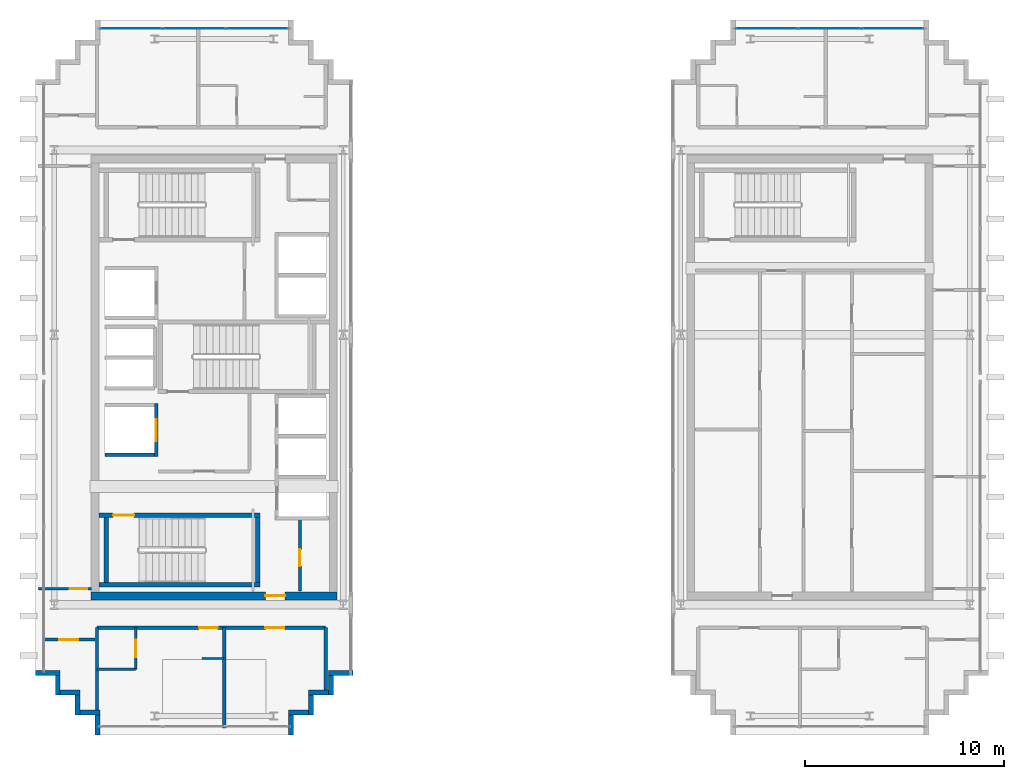
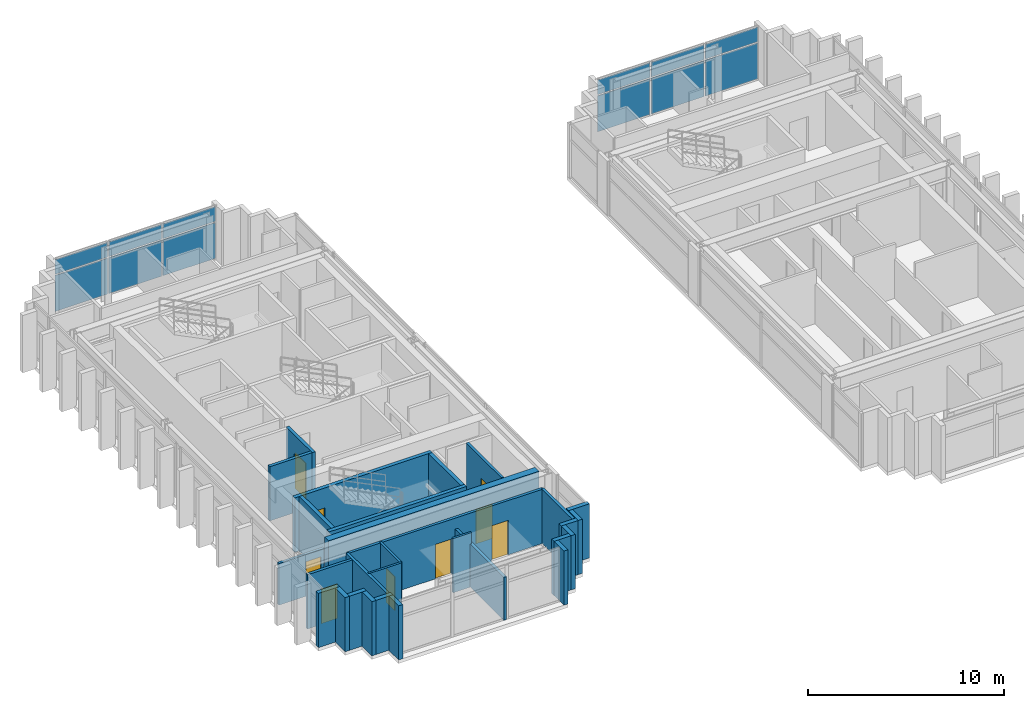
# One storey, part 19 of 25: 29 walls, 12 plates, 9 doors, 9 openings, 2 elements without a shape of their own.
"""IFC4 building model written with IfcOpenShell, lengths in metres."""

from ifc_helpers import new_model, si_unit, direction, frame, frame_2d, origin, origin_2d, place, context, subcontext, project, spatial, rectangle, extrude, source, transform, mapped, material, layer, layer_set, type_object, element, fill, aggregate, save


model = new_model("IFC4")

# Units and contexts
model_context = context("Model", 3, precision=1e-05, world=origin(), true_north=direction((0.0, 1.0)))
body_context = subcontext(model_context, "Body", "Model", "MODEL_VIEW")
ifc_project = project(units=[si_unit("LENGTHUNIT", "METRE"), si_unit("AREAUNIT", "SQUARE_METRE"), si_unit("VOLUMEUNIT", "CUBIC_METRE"), si_unit("PLANEANGLEUNIT", "RADIAN"), si_unit("MASSUNIT", "GRAM", prefix="KILO")], contexts=[model_context])

# Site, building, storey
site_placement = place(None, origin())
site = spatial("IfcSite", under=ifc_project, at=site_placement, CompositionType="ELEMENT")
building_placement = place(site_placement, origin())
building = spatial("IfcBuilding", under=site, at=building_placement, Name="Ocotamira Hotel", CompositionType="ELEMENT")
storey_placement = place(building_placement, frame((0.0, 0.0, 261.60009765625)))
storey = spatial("IfcBuildingStorey", under=building, at=storey_placement, Name="L66", CompositionType="ELEMENT", Elevation=261.60009765625)

# Curtain wall, plates
ifc_material_1 = material(Name="Anodised pale-metal aluminium and solar glass", Category="aluminium")
ifc_layer_1 = layer(ifc_material_1, 0.2099609375)
ifc_layer_set_1 = layer_set([ifc_layer_1], Name="Anodised pale-metal aluminium and solar glass")
curtain_wall_type = type_object("IfcCurtainWallType", Name="CW-SYS7-PEAK", PredefinedType="NOTDEFINED", material=ifc_layer_set_1)
curtain_wall_1_placement = place(storey_placement, origin())
curtain_wall_1 = element("IfcCurtainWall", 1, at=curtain_wall_1_placement, inside=storey, type_object=curtain_wall_type, Name="L66 Curtain Wall CW-7 CW-L66-WN", PredefinedType="NOTDEFINED")
ifc_material_2 = material(Name="Double-silver low-E insulated solar glass", Category="glass")
ifc_layer_2 = layer(ifc_material_2, 0.031982421875)
ifc_layer_set_2 = layer_set([ifc_layer_2], Name="Double-silver low-E insulated solar glass")
plate_type = type_object("IfcPlateType", Name="CWP-VISION-32", PredefinedType="CURTAIN_PANEL", material=ifc_layer_set_2)
shared_shape_1 = source(origin(), body_context, "Body", "SweptSolid", [
    extrude(rectangle(XDim=3.080078125, YDim=0.031982421875, at=origin_2d()), origin(), (0.0, 0.0, 1.0), 2.237548828125),
])
plate_1_placement = place(storey_placement, frame((12.820068359375, 43.580078125, 0.07470703125), z_axis=(0.0, 0.0, 1.0), x_axis=(1.0, 0.0, 0.0)))
plate_1 = element("IfcPlate", 2, at=plate_1_placement, type_object=plate_type, Name="CW-7 panel 1.1", PredefinedType="CURTAIN_PANEL", context=body_context, shape_type="MappedRepresentation", body=[
    mapped(shared_shape_1, transform((0.0, 0.0, 0.0), scale=1.0)),
])
plate_2_placement = place(storey_placement, frame((19.179931640625, 43.580078125, 0.07470703125), z_axis=(0.0, 0.0, 1.0), x_axis=(1.0, 0.0, 0.0)))
plate_2 = element("IfcPlate", 3, at=plate_2_placement, type_object=plate_type, Name="CW-7 panel 3.1", PredefinedType="CURTAIN_PANEL", context=body_context, shape_type="MappedRepresentation", body=[
    mapped(shared_shape_1, transform((0.0, 0.0, 0.0), scale=1.0)),
])

curtain_wall_2_placement = place(storey_placement, origin())
curtain_wall_2 = element("IfcCurtainWall", 4, at=curtain_wall_2_placement, inside=storey, type_object=curtain_wall_type, Name="L66 Curtain Wall CW-7 CW-L66-EN", PredefinedType="NOTDEFINED")
plate_3_placement = place(storey_placement, frame((44.820068359375, 43.580078125, 0.07470703125), z_axis=(0.0, 0.0, 1.0), x_axis=(1.0, 0.0, 0.0)))
plate_3 = element("IfcPlate", 5, at=plate_3_placement, type_object=plate_type, Name="CW-7 panel 1.1", PredefinedType="CURTAIN_PANEL", context=body_context, shape_type="MappedRepresentation", body=[
    mapped(shared_shape_1, transform((0.0, 0.0, 0.0), scale=1.0)),
])
plate_4_placement = place(storey_placement, frame((51.179931640625, 43.580078125, 0.07470703125), z_axis=(0.0, 0.0, 1.0), x_axis=(1.0, 0.0, 0.0)))
plate_4 = element("IfcPlate", 6, at=plate_4_placement, type_object=plate_type, Name="CW-7 panel 3.1", PredefinedType="CURTAIN_PANEL", context=body_context, shape_type="MappedRepresentation", body=[
    mapped(shared_shape_1, transform((0.0, 0.0, 0.0), scale=1.0)),
])

# Plate
shared_shape_2 = source(origin(), body_context, "Body", "SweptSolid", [
    extrude(rectangle(XDim=3.080078125, YDim=0.031982421875, at=origin_2d()), origin(), (0.0, 0.0, 1.0), 0.91748046875),
])
plate_5_placement = place(storey_placement, frame((12.820068359375, 43.580078125, 2.387451171875), z_axis=(0.0, 0.0, 1.0), x_axis=(1.0, 0.0, 0.0)))
plate_5 = element("IfcPlate", 7, at=plate_5_placement, type_object=plate_type, Name="CW-7 panel 1.2", PredefinedType="CURTAIN_PANEL", context=body_context, shape_type="MappedRepresentation", body=[
    mapped(shared_shape_2, transform((0.0, 0.0, 0.0), scale=1.0)),
])

plate_6_placement = place(storey_placement, frame((19.179931640625, 43.580078125, 2.387451171875), z_axis=(0.0, 0.0, 1.0), x_axis=(1.0, 0.0, 0.0)))
plate_6 = element("IfcPlate", 8, at=plate_6_placement, type_object=plate_type, Name="CW-7 panel 3.2", PredefinedType="CURTAIN_PANEL", context=body_context, shape_type="MappedRepresentation", body=[
    mapped(shared_shape_2, transform((0.0, 0.0, 0.0), scale=1.0)),
])

plate_7_placement = place(storey_placement, frame((44.820068359375, 43.580078125, 2.387451171875), z_axis=(0.0, 0.0, 1.0), x_axis=(1.0, 0.0, 0.0)))
plate_7 = element("IfcPlate", 9, at=plate_7_placement, type_object=plate_type, Name="CW-7 panel 1.2", PredefinedType="CURTAIN_PANEL", context=body_context, shape_type="MappedRepresentation", body=[
    mapped(shared_shape_2, transform((0.0, 0.0, 0.0), scale=1.0)),
])

plate_8_placement = place(storey_placement, frame((51.179931640625, 43.580078125, 2.387451171875), z_axis=(0.0, 0.0, 1.0), x_axis=(1.0, 0.0, 0.0)))
plate_8 = element("IfcPlate", 10, at=plate_8_placement, type_object=plate_type, Name="CW-7 panel 3.2", PredefinedType="CURTAIN_PANEL", context=body_context, shape_type="MappedRepresentation", body=[
    mapped(shared_shape_2, transform((0.0, 0.0, 0.0), scale=1.0)),
])

shared_shape_3 = source(origin(), body_context, "Body", "SweptSolid", [
    extrude(rectangle(XDim=3.1201171875, YDim=0.031982421875, at=origin_2d()), origin(), (0.0, 0.0, 1.0), 2.237548828125),
])
plate_9_placement = place(storey_placement, frame((16.0, 43.580078125, 0.07470703125), z_axis=(0.0, 0.0, 1.0), x_axis=(1.0, 0.0, 0.0)))
plate_9 = element("IfcPlate", 11, at=plate_9_placement, type_object=plate_type, Name="CW-7 panel 2.1", PredefinedType="CURTAIN_PANEL", context=body_context, shape_type="MappedRepresentation", body=[
    mapped(shared_shape_3, transform((0.0, 0.0, 0.0), scale=1.0)),
])

plate_10_placement = place(storey_placement, frame((48.0, 43.580078125, 0.07470703125), z_axis=(0.0, 0.0, 1.0), x_axis=(1.0, 0.0, 0.0)))
plate_10 = element("IfcPlate", 12, at=plate_10_placement, type_object=plate_type, Name="CW-7 panel 2.1", PredefinedType="CURTAIN_PANEL", context=body_context, shape_type="MappedRepresentation", body=[
    mapped(shared_shape_3, transform((0.0, 0.0, 0.0), scale=1.0)),
])

shared_shape_4 = source(origin(), body_context, "Body", "SweptSolid", [
    extrude(rectangle(XDim=3.1201171875, YDim=0.031982421875, at=origin_2d()), origin(), (0.0, 0.0, 1.0), 0.91748046875),
])
plate_11_placement = place(storey_placement, frame((16.0, 43.580078125, 2.387451171875), z_axis=(0.0, 0.0, 1.0), x_axis=(1.0, 0.0, 0.0)))
plate_11 = element("IfcPlate", 13, at=plate_11_placement, type_object=plate_type, Name="CW-7 panel 2.2", PredefinedType="CURTAIN_PANEL", context=body_context, shape_type="MappedRepresentation", body=[
    mapped(shared_shape_4, transform((0.0, 0.0, 0.0), scale=1.0)),
])

aggregate(curtain_wall_1, [plate_1, plate_5, plate_9, plate_11, plate_2, plate_6])

plate_12_placement = place(storey_placement, frame((48.0, 43.580078125, 2.387451171875), z_axis=(0.0, 0.0, 1.0), x_axis=(1.0, 0.0, 0.0)))
plate_12 = element("IfcPlate", 14, at=plate_12_placement, type_object=plate_type, Name="CW-7 panel 2.2", PredefinedType="CURTAIN_PANEL", context=body_context, shape_type="MappedRepresentation", body=[
    mapped(shared_shape_4, transform((0.0, 0.0, 0.0), scale=1.0)),
])

aggregate(curtain_wall_2, [plate_3, plate_7, plate_10, plate_12, plate_4, plate_8])

# Wall, opening, door
ifc_material_3 = material(Name="Concrete C50/60", Category="concrete")
ifc_layer_3 = layer(ifc_material_3, 0.39990234375)
ifc_layer_set_3 = layer_set([ifc_layer_3], Name="Concrete C50/60")
wall_type_1 = type_object("IfcWallType", Name="WL-CORE-400", PredefinedType="SHEAR", material=ifc_layer_set_3)
wall_1_placement = place(storey_placement, frame((10.800048828125, 15.0, 0.0), z_axis=(0.0, 0.0, 1.0), x_axis=(1.0, 0.0, 0.0)))
wall_1 = element("IfcWall", 15, at=wall_1_placement, inside=storey, type_object=wall_type_1, Name="L66 Shear Core Wall WCORE-S", PredefinedType="SHEAR", context=body_context, shape_type="SweptSolid", body=[
    extrude(rectangle(XDim=12.39990234375, YDim=0.39990234375, at=frame_2d((6.199951171875, 0.0))), origin(), (0.0, 0.0, 1.0), 3.3798828125),
])
opening_1_placement = place(wall_1_placement, frame((8.780029296875, 0.0, 0.0)))
opening_1 = element("IfcOpeningElement", 16, at=opening_1_placement, cuts=wall_1, Name="Opening D-FR2", PredefinedType="OPENING", context=body_context, shape_type="SweptSolid", body=[
    extrude(rectangle(XDim=1.0, YDim=2.14990234375, at=frame_2d((0.5, 1.074951171875))), frame((0.0, 0.2099609375, 0.0), z_axis=(0.0, -1.0, 0.0), x_axis=(1.0, 0.0, 0.0)), (0.0, 0.0, 1.0), 0.419921875),
])
ifc_material_4 = material(Name="Fire-rated acoustic timber-veneer door", Category="wood")
door_type_1 = type_object("IfcDoorType", Name="DR-FIRE-1000", OperationType="NOTDEFINED", PredefinedType="DOOR", material=ifc_material_4)
shared_shape_5 = source(origin(), body_context, "Body", "SweptSolid", [
    extrude(rectangle(XDim=1.0, YDim=2.14990234375, at=frame_2d((0.5, 1.074951171875))), frame((0.0, 0.02490234375, 0.0), z_axis=(0.0, -1.0, 0.0), x_axis=(1.0, 0.0, 0.0)), (0.0, 0.0, 1.0), 0.050048828125),
])
door_1_placement = place(opening_1_placement, origin())
door_1 = element("IfcDoor", 17, at=door_1_placement, inside=storey, type_object=door_type_1, Name="L66 Door ID-L66-WLOB-S-D [ID-L66-WLOB-S-D]", OperationType="SINGLE_SWING_LEFT", OverallHeight=2.14990234375, OverallWidth=1.0, PredefinedType="DOOR", context=body_context, shape_type="MappedRepresentation", body=[
    mapped(shared_shape_5, transform((0.0, 0.0, 0.0), scale=1.0)),
])
fill(opening_1, door_1)

# Walls
ifc_material_5 = material(Name="Precast concrete C45/55", Category="concrete")
ifc_layer_4 = layer(ifc_material_5, 0.25)
ifc_layer_set_4 = layer_set([ifc_layer_4], Name="Precast concrete C45/55")
wall_type_2 = type_object("IfcWallType", Name="WL-EXT-SER-250", PredefinedType="SOLIDWALL", material=ifc_layer_set_4)
for number, where, z_axis, x_axis, name in (
    (18, (20.875, 8.0, 0.0), (0.0, 0.0, 1.0), (0.0, 1.0, 0.0), "L66 -W Serrated Corner Wall 01"),
    (19, (20.75, 9.125, 0.0), (0.0, 0.0, 1.0), (1.0, 0.0, 0.0), "L66 -W Serrated Corner Wall 02"),
    (20, (21.875, 9.0, 0.0), (0.0, 0.0, 1.0), (0.0, 1.0, 0.0), "L66 -W Serrated Corner Wall 03"),
    (21, (21.75, 10.125, 0.0), (0.0, 0.0, 1.0), (1.0, 0.0, 0.0), "L66 -W Serrated Corner Wall 04"),
    (22, (22.875, 10.0, 0.0), (0.0, 0.0, 1.0), (0.0, 1.0, 0.0), "L66 -W Serrated Corner Wall 05"),
):
    element("IfcWall", number, at=place(storey_placement, frame(where, z_axis=z_axis, x_axis=x_axis)), inside=storey, type_object=wall_type_2, Name=name, PredefinedType="SOLIDWALL", context=body_context, shape_type="SweptSolid", body=[
        extrude(rectangle(XDim=1.0, YDim=0.25, at=frame_2d((0.5, 0.0))), origin(), (0.0, 0.0, 1.0), 3.3798828125),
    ])
for number, where, z_axis, x_axis, name in (
    (23, (22.75, 11.125, 0.0), (0.0, 0.0, 1.0), (1.0, 0.0, 0.0), "L66 -W Serrated Corner Wall 06"),
    (24, (8.0, 11.125, 0.0), (0.0, 0.0, 1.0), (1.0, 0.0, 0.0), "L66 -W Serrated Corner Wall 19"),
):
    element("IfcWall", number, at=place(storey_placement, frame(where, z_axis=z_axis, x_axis=x_axis)), inside=storey, type_object=wall_type_2, Name=name, PredefinedType="SOLIDWALL", context=body_context, shape_type="SweptSolid", body=[
        extrude(rectangle(XDim=1.25, YDim=0.25, at=frame_2d((0.625, 0.0))), origin(), (0.0, 0.0, 1.0), 3.3798828125),
    ])
for number, where, z_axis, x_axis, name in (
    (25, (9.125, 11.0, 0.0), (0.0, 0.0, 1.0), (0.0, -1.0, 0.0), "L66 -W Serrated Corner Wall 20"),
    (26, (9.25, 10.125, 0.0), (0.0, 0.0, 1.0), (1.0, 0.0, 0.0), "L66 -W Serrated Corner Wall 21"),
    (27, (10.125, 10.0, 0.0), (0.0, 0.0, 1.0), (0.0, -1.0, 0.0), "L66 -W Serrated Corner Wall 22"),
    (28, (10.25, 9.125, 0.0), (0.0, 0.0, 1.0), (1.0, 0.0, 0.0), "L66 -W Serrated Corner Wall 23"),
    (29, (11.125, 9.0, 0.0), (0.0, 0.0, 1.0), (0.0, -1.0, 0.0), "L66 -W Serrated Corner Wall 24"),
):
    element("IfcWall", number, at=place(storey_placement, frame(where, z_axis=z_axis, x_axis=x_axis)), inside=storey, type_object=wall_type_2, Name=name, PredefinedType="SOLIDWALL", context=body_context, shape_type="SweptSolid", body=[
        extrude(rectangle(XDim=1.0, YDim=0.25, at=frame_2d((0.5, 0.0))), origin(), (0.0, 0.0, 1.0), 3.3798828125),
    ])

# Wall, openings, doors
ifc_material_6 = material(Name="Acoustic double-layer fire gypsum board partition", Category="gypsum")
ifc_layer_5 = layer(ifc_material_6, 0.159912109375)
ifc_layer_set_5 = layer_set([ifc_layer_5], Name="Acoustic double-layer fire gypsum board partition")
wall_type_3 = type_object("IfcWallType", Name="WL-FIRE-160", PredefinedType="PARTITIONING", material=ifc_layer_set_5)
wall_2_placement = place(storey_placement, frame((11.10009765625, 13.39990234375, 0.0), z_axis=(0.0, 0.0, 1.0), x_axis=(1.0, 0.0, 0.0)))
wall_2 = element("IfcWall", 30, at=wall_2_placement, inside=storey, type_object=wall_type_3, Name="L66 Interior Wall PW-L66-SPW1S-CORRW", PredefinedType="PARTITIONING", context=body_context, shape_type="SweptSolid", body=[
    extrude(rectangle(XDim=11.52001953125, YDim=0.159912109375, at=frame_2d((5.760009765625, 0.0))), origin(), (0.0, 0.0, 1.0), 3.3798828125),
])
opening_2_placement = place(wall_2_placement, frame((5.139892578125, 0.0, 0.0)))
opening_2 = element("IfcOpeningElement", 31, at=opening_2_placement, cuts=wall_2, Name="Opening D-GR1", PredefinedType="OPENING", context=body_context, shape_type="SweptSolid", body=[
    extrude(rectangle(XDim=0.93994140625, YDim=2.14990234375, at=frame_2d((0.469970703125, 1.074951171875))), frame((0.0, 0.08984375, 0.0), z_axis=(0.0, -1.0, 0.0), x_axis=(1.0, 0.0, 0.0)), (0.0, 0.0, 1.0), 0.179931640625),
])
opening_3_placement = place(wall_2_placement, frame((8.47998046875, 0.0, 0.0)))
opening_3 = element("IfcOpeningElement", 32, at=opening_3_placement, cuts=wall_2, Name="Opening D-SV4", PredefinedType="OPENING", context=body_context, shape_type="SweptSolid", body=[
    extrude(rectangle(XDim=0.9599609375, YDim=2.14990234375, at=frame_2d((0.47998046875, 1.074951171875))), frame((0.0, 0.08984375, 0.0), z_axis=(0.0, -1.0, 0.0), x_axis=(1.0, 0.0, 0.0)), (0.0, 0.0, 1.0), 0.179931640625),
])
ifc_material_7 = material(Name="Fire-rated accessible walnut salon door", Category="wood")
door_type_2 = type_object("IfcDoorType", Name="DR-SERV-960", OperationType="NOTDEFINED", PredefinedType="DOOR", material=ifc_material_7)
shared_shape_6 = source(origin(), body_context, "Body", "SweptSolid", [
    extrude(rectangle(XDim=0.9599609375, YDim=2.14990234375, at=frame_2d((0.47998046875, 1.074951171875))), frame((0.0, 0.02490234375, 0.0), z_axis=(0.0, -1.0, 0.0), x_axis=(1.0, 0.0, 0.0)), (0.0, 0.0, 1.0), 0.050048828125),
])
door_2_placement = place(opening_3_placement, origin())
door_2 = element("IfcDoor", 33, at=door_2_placement, inside=storey, type_object=door_type_2, Name="L66 Door ID-L66-SPW1S-AMD2 [ID-L66-SPW1S-AMD2]", OperationType="SINGLE_SWING_RIGHT", OverallHeight=2.14990234375, OverallWidth=0.9599609375, PredefinedType="DOOR", context=body_context, shape_type="MappedRepresentation", body=[
    mapped(shared_shape_6, transform((0.0, 0.0, 0.0), scale=1.0)),
])
fill(opening_3, door_2)
ifc_material_8 = material(Name="Solid-core walnut suite entrance fire door", Category="wood")
door_type_3 = type_object("IfcDoorType", Name="DR-GUEST-940", OperationType="NOTDEFINED", PredefinedType="DOOR", material=ifc_material_8)
shared_shape_7 = source(origin(), body_context, "Body", "SweptSolid", [
    extrude(rectangle(XDim=0.93994140625, YDim=2.14990234375, at=frame_2d((0.469970703125, 1.074951171875))), frame((0.0, 0.02490234375, 0.0), z_axis=(0.0, -1.0, 0.0), x_axis=(1.0, 0.0, 0.0)), (0.0, 0.0, 1.0), 0.050048828125),
])
door_3_placement = place(opening_2_placement, origin())
door_3 = element("IfcDoor", 34, at=door_3_placement, inside=storey, type_object=door_type_3, Name="L66 Door ID-L66-SPW1S-RMD1 [ID-L66-SPW1S-RMD1]", OperationType="SINGLE_SWING_LEFT", OverallHeight=2.14990234375, OverallWidth=0.93994140625, PredefinedType="DOOR", context=body_context, shape_type="MappedRepresentation", body=[
    mapped(shared_shape_7, transform((0.0, 0.0, 0.0), scale=1.0)),
])
fill(opening_2, door_3)

# Wall, opening, door
wall_3_placement = place(storey_placement, frame((8.35009765625, 12.800048828125, 0.0), z_axis=(0.0, 0.0, 1.0), x_axis=(1.0, 0.0, 0.0)))
wall_3 = element("IfcWall", 35, at=wall_3_placement, inside=storey, type_object=wall_type_3, Name="L66 Interior Wall PW-L66-SPCSW1-CW", PredefinedType="PARTITIONING", context=body_context, shape_type="SweptSolid", body=[
    extrude(rectangle(XDim=2.64990234375, YDim=0.159912109375, at=frame_2d((1.324951171875, 0.0))), origin(), (0.0, 0.0, 1.0), 3.3798828125),
])
opening_4_placement = place(wall_3_placement, frame((0.844970703125, 0.0, 0.0)))
opening_4 = element("IfcOpeningElement", 36, at=opening_4_placement, cuts=wall_3, Name="Opening D-SV4", PredefinedType="OPENING", context=body_context, shape_type="SweptSolid", body=[
    extrude(rectangle(XDim=0.9599609375, YDim=2.14990234375, at=frame_2d((0.47998046875, 1.074951171875))), frame((0.0, 0.08984375, 0.0), z_axis=(0.0, -1.0, 0.0), x_axis=(1.0, 0.0, 0.0)), (0.0, 0.0, 1.0), 0.179931640625),
])
door_4_placement = place(opening_4_placement, origin())
door_4 = element("IfcDoor", 37, at=door_4_placement, inside=storey, type_object=door_type_2, Name="L66 Door ID-L66-SPCSW1-CD [ID-L66-SPCSW1-CD]", OperationType="SINGLE_SWING_LEFT", OverallHeight=2.14990234375, OverallWidth=0.9599609375, PredefinedType="DOOR", context=body_context, shape_type="MappedRepresentation", body=[
    mapped(shared_shape_6, transform((0.0, 0.0, 0.0), scale=1.0)),
])
fill(opening_4, door_4)

ifc_material_9 = material(Name="Moisture-resistant en-suite tile and gypsum partition", Category="gypsum")
ifc_layer_6 = layer(ifc_material_9, 0.1201171875)
ifc_layer_set_6 = layer_set([ifc_layer_6], Name="Moisture-resistant en-suite tile and gypsum partition")
wall_type_4 = type_object("IfcWallType", Name="WL-PART-120", PredefinedType="PARTITIONING", material=ifc_layer_set_6)
wall_4_placement = place(storey_placement, frame((13.050048828125, 11.300048828125, 0.0), z_axis=(0.0, 0.0, 1.0), x_axis=(0.0, 1.0, 0.0)))
wall_4 = element("IfcWall", 38, at=wall_4_placement, inside=storey, type_object=wall_type_4, Name="L66 Interior Wall PW-L66-SPW1S-BAE1", PredefinedType="PARTITIONING", context=body_context, shape_type="SweptSolid", body=[
    extrude(rectangle(XDim=2.099853515625, YDim=0.1201171875, at=frame_2d((1.0498046875, 0.0))), origin(), (0.0, 0.0, 1.0), 3.3798828125),
])
opening_5_placement = place(wall_4_placement, frame((0.6201171875, 0.0, 0.0)))
opening_5 = element("IfcOpeningElement", 39, at=opening_5_placement, cuts=wall_4, Name="Opening D-BA1", PredefinedType="OPENING", context=body_context, shape_type="SweptSolid", body=[
    extrude(rectangle(XDim=0.860107421875, YDim=2.10009765625, at=frame_2d((0.43017578125, 1.050048828125))), frame((0.0, 0.070068359375, 0.0), z_axis=(0.0, -1.0, 0.0), x_axis=(1.0, 0.0, 0.0)), (0.0, 0.0, 1.0), 0.14013671875),
])
ifc_material_10 = material(Name="Moisture-sealed en-suite timber door", Category="wood")
door_type_4 = type_object("IfcDoorType", Name="DR-BATH-860", OperationType="NOTDEFINED", PredefinedType="DOOR", material=ifc_material_10)
shared_shape_8 = source(origin(), body_context, "Body", "SweptSolid", [
    extrude(rectangle(XDim=0.860107421875, YDim=2.10009765625, at=frame_2d((0.43017578125, 1.050048828125))), frame((0.0, 0.02490234375, 0.0), z_axis=(0.0, -1.0, 0.0), x_axis=(1.0, 0.0, 0.0)), (0.0, 0.0, 1.0), 0.050048828125),
])
door_5_placement = place(opening_5_placement, origin())
door_5 = element("IfcDoor", 40, at=door_5_placement, inside=storey, type_object=door_type_4, Name="L66 Door ID-L66-SPW1S-BAD1 [ID-L66-SPW1S-BAD1]", OperationType="SINGLE_SWING_RIGHT", OverallHeight=2.10009765625, OverallWidth=0.860107421875, PredefinedType="DOOR", context=body_context, shape_type="MappedRepresentation", body=[
    mapped(shared_shape_8, transform((0.0, 0.0, 0.0), scale=1.0)),
])
fill(opening_5, door_5)

# Walls
wall_5_placement = place(storey_placement, frame((11.10009765625, 11.300048828125, 0.0), z_axis=(0.0, 0.0, 1.0), x_axis=(1.0, 0.0, 0.0)))
element("IfcWall", 41, at=wall_5_placement, inside=storey, type_object=wall_type_4, Name="L66 Interior Wall PW-L66-SPW1S-BAS1", PredefinedType="PARTITIONING", context=body_context, shape_type="SweptSolid", body=[
    extrude(rectangle(XDim=1.949951171875, YDim=0.1201171875, at=frame_2d((0.97509765625, 0.0))), origin(), (0.0, 0.0, 1.0), 3.3798828125),
])
wall_6_placement = place(storey_placement, frame((16.39990234375, 11.85009765625, 0.0), z_axis=(0.0, 0.0, 1.0), x_axis=(1.0, 0.0, 0.0)))
element("IfcWall", 42, at=wall_6_placement, inside=storey, type_object=wall_type_4, Name="L66 Interior Wall PW-L66-SPW1S-DRN1", PredefinedType="PARTITIONING", context=body_context, shape_type="SweptSolid", body=[
    extrude(rectangle(XDim=1.10009765625, YDim=0.1201171875, at=frame_2d((0.550048828125, 0.0))), origin(), (0.0, 0.0, 1.0), 3.3798828125),
])

# Wall, opening, door
ifc_material_11 = material(Name="Acoustic hospitality gypsum board partition", Category="gypsum")
ifc_layer_7 = layer(ifc_material_11, 0.14208984375)
ifc_layer_set_7 = layer_set([ifc_layer_7], Name="Acoustic hospitality gypsum board partition")
wall_type_5 = type_object("IfcWallType", Name="WL-PART-142", PredefinedType="PARTITIONING", material=ifc_layer_set_7)
wall_7_placement = place(storey_placement, frame((21.320068359375, 15.25, 0.0), z_axis=(0.0, 0.0, 1.0), x_axis=(0.0, 1.0, 0.0)))
wall_7 = element("IfcWall", 43, at=wall_7_placement, inside=storey, type_object=wall_type_5, Name="L66 Interior Wall PW-L66-WC-SE-W", PredefinedType="PARTITIONING", context=body_context, shape_type="SweptSolid", body=[
    extrude(rectangle(XDim=3.590087890625, YDim=0.14208984375, at=frame_2d((1.794921875, 0.0))), origin(), (0.0, 0.0, 1.0), 3.3798828125),
])
opening_6_placement = place(wall_7_placement, frame((1.25, 0.0, 0.0)))
opening_6 = element("IfcOpeningElement", 44, at=opening_6_placement, cuts=wall_7, Name="Opening D-SV1", PredefinedType="OPENING", context=body_context, shape_type="SweptSolid", body=[
    extrude(rectangle(XDim=0.840087890625, YDim=2.10009765625, at=frame_2d((0.419921875, 1.050048828125))), frame((0.0, 0.0810546875, 0.0), z_axis=(0.0, -1.0, 0.0), x_axis=(1.0, 0.0, 0.0)), (0.0, 0.0, 1.0), 0.162109375),
])
ifc_material_12 = material(Name="Fire-rated painted steel service door", Category="steel")
door_type_5 = type_object("IfcDoorType", Name="DR-SERV-840", OperationType="NOTDEFINED", PredefinedType="DOOR", material=ifc_material_12)
shared_shape_9 = source(origin(), body_context, "Body", "SweptSolid", [
    extrude(rectangle(XDim=0.840087890625, YDim=2.10009765625, at=frame_2d((0.419921875, 1.050048828125))), frame((0.0, 0.02490234375, 0.0), z_axis=(0.0, -1.0, 0.0), x_axis=(1.0, 0.0, 0.0)), (0.0, 0.0, 1.0), 0.050048828125),
])
door_6_placement = place(opening_6_placement, origin())
door_6 = element("IfcDoor", 45, at=door_6_placement, inside=storey, type_object=door_type_5, Name="L66 Door ID-L66-WC-SE-D [ID-L66-WC-SE-D]", OperationType="SINGLE_SWING_RIGHT", OverallHeight=2.10009765625, OverallWidth=0.840087890625, PredefinedType="DOOR", context=body_context, shape_type="MappedRepresentation", body=[
    mapped(shared_shape_9, transform((0.0, 0.0, 0.0), scale=1.0)),
])
fill(opening_6, door_6)

ifc_layer_8 = layer(ifc_material_11, 0.14990234375)
ifc_layer_set_8 = layer_set([ifc_layer_8], Name="Acoustic hospitality gypsum board partition")
wall_type_6 = type_object("IfcWallType", Name="WL-PART-150", PredefinedType="PARTITIONING", material=ifc_layer_set_8)
wall_8_placement = place(storey_placement, frame((8.159912109375, 15.360107421875, 0.0), z_axis=(0.0, 0.0, 1.0), x_axis=(1.0, 0.0, 0.0)))
wall_8 = element("IfcWall", 46, at=wall_8_placement, inside=storey, type_object=wall_type_6, Name="L66 Interior Wall PW-L66-SP1W-WS", PredefinedType="PARTITIONING", context=body_context, shape_type="SweptSolid", body=[
    extrude(rectangle(XDim=2.66015625, YDim=0.14990234375, at=frame_2d((1.330078125, 0.0))), origin(), (0.0, 0.0, 1.0), 2.600830078125),
])
opening_7_placement = place(wall_8_placement, frame((1.580078125, 0.0, 0.0)))
opening_7 = element("IfcOpeningElement", 47, at=opening_7_placement, cuts=wall_8, Name="Opening D-SV2", PredefinedType="OPENING", context=body_context, shape_type="SweptSolid", body=[
    extrude(rectangle(XDim=0.8798828125, YDim=2.14990234375, at=frame_2d((0.43994140625, 1.074951171875))), frame((0.0, 0.0849609375, 0.0), z_axis=(0.0, -1.0, 0.0), x_axis=(1.0, 0.0, 0.0)), (0.0, 0.0, 1.0), 0.169921875),
])
door_type_6 = type_object("IfcDoorType", Name="DR-SERV-880", OperationType="NOTDEFINED", PredefinedType="DOOR", material=ifc_material_12)
shared_shape_10 = source(origin(), body_context, "Body", "SweptSolid", [
    extrude(rectangle(XDim=0.8798828125, YDim=2.14990234375, at=frame_2d((0.43994140625, 1.074951171875))), frame((0.0, 0.02490234375, 0.0), z_axis=(0.0, -1.0, 0.0), x_axis=(1.0, 0.0, 0.0)), (0.0, 0.0, 1.0), 0.050048828125),
])
door_7_placement = place(opening_7_placement, origin())
door_7 = element("IfcDoor", 48, at=door_7_placement, inside=storey, type_object=door_type_6, Name="L66 Door ID-L66-SP1W-DS [ID-L66-SP1W-DS]", OperationType="SINGLE_SWING_LEFT", OverallHeight=2.14990234375, OverallWidth=0.8798828125, PredefinedType="DOOR", context=body_context, shape_type="MappedRepresentation", body=[
    mapped(shared_shape_10, transform((0.0, 0.0, 0.0), scale=1.0)),
])
fill(opening_7, door_7)

# Walls
ifc_material_13 = material(Name="Acoustic double-stud hospitality gypsum partition", Category="gypsum")
ifc_layer_9 = layer(ifc_material_13, 0.159912109375)
ifc_layer_set_9 = layer_set([ifc_layer_9], Name="Acoustic double-stud hospitality gypsum partition")
wall_type_7 = type_object("IfcWallType", Name="WL-PART-160", PredefinedType="PARTITIONING", material=ifc_layer_set_9)
wall_9_placement = place(storey_placement, frame((11.10009765625, 9.260009765625, 0.0), z_axis=(0.0, 0.0, 1.0), x_axis=(0.0, 1.0, 0.0)))
element("IfcWall", 49, at=wall_9_placement, inside=storey, type_object=wall_type_7, Name="L66 Interior Wall PW-L66-SPW1S-PW0", PredefinedType="PARTITIONING", context=body_context, shape_type="SweptSolid", body=[
    extrude(rectangle(XDim=4.139892578125, YDim=0.159912109375, at=frame_2d((2.06982421875, 0.0))), origin(), (0.0, 0.0, 1.0), 3.3798828125),
])
wall_10_placement = place(storey_placement, frame((22.6201171875, 10.260009765625, 0.0), z_axis=(0.0, 0.0, 1.0), x_axis=(0.0, 1.0, 0.0)))
element("IfcWall", 50, at=wall_10_placement, inside=storey, type_object=wall_type_7, Name="L66 Interior Wall PW-L66-SPW1S-PWEND", PredefinedType="PARTITIONING", context=body_context, shape_type="SweptSolid", body=[
    extrude(rectangle(XDim=3.139892578125, YDim=0.159912109375, at=frame_2d((1.56982421875, 0.0))), origin(), (0.0, 0.0, 1.0), 3.3798828125),
])
ifc_material_14 = material(Name="Double-stud suite party gypsum partition", Category="gypsum")
ifc_layer_10 = layer(ifc_material_14, 0.175048828125)
ifc_layer_set_10 = layer_set([ifc_layer_10], Name="Double-stud suite party gypsum partition")
wall_type_8 = type_object("IfcWallType", Name="WL-PART-175", PredefinedType="PARTITIONING", material=ifc_layer_set_10)
wall_11_placement = place(storey_placement, frame((17.5, 8.360107421875, 0.0), z_axis=(0.0, 0.0, 1.0), x_axis=(0.0, 1.0, 0.0)))
element("IfcWall", 51, at=wall_11_placement, inside=storey, type_object=wall_type_8, Name="L66 Interior Wall PW-L66-SPW1S-PW1", PredefinedType="PARTITIONING", context=body_context, shape_type="SweptSolid", body=[
    extrude(rectangle(XDim=5.039794921875, YDim=0.175048828125, at=frame_2d((2.52001953125, 0.0))), origin(), (0.0, 0.0, 1.0), 2.68701171875),
])
ifc_material_15 = material(Name="Fire-rated gypsum shaftliner board assembly", Category="gypsum")
ifc_layer_11 = layer(ifc_material_15, 0.179931640625)
ifc_layer_set_11 = layer_set([ifc_layer_11], Name="Fire-rated gypsum shaftliner board assembly")
wall_type_9 = type_object("IfcWallType", Name="WL-SHAFT-180", PredefinedType="SOLIDWALL", material=ifc_layer_set_11)
wall_12_placement = place(storey_placement, frame((11.5, 22.110107421875, 0.0), z_axis=(0.0, 0.0, 1.0), x_axis=(1.0, 0.0, 0.0)))
element("IfcWall", 52, at=wall_12_placement, inside=storey, type_object=wall_type_9, Name="L66 Interior Wall PW-L66-LFW-LF-FSAE1-S", PredefinedType="SOLIDWALL", context=body_context, shape_type="SweptSolid", body=[
    extrude(rectangle(XDim=2.5, YDim=0.179931640625, at=frame_2d((1.25, 0.0))), origin(), (0.0, 0.0, 1.0), 3.3798828125),
])

# Wall, opening, door
wall_13_placement = place(storey_placement, frame((14.090087890625, 22.02001953125, 0.0), z_axis=(0.0, 0.0, 1.0), x_axis=(0.0, 1.0, 0.0)))
wall_13 = element("IfcWall", 53, at=wall_13_placement, inside=storey, type_object=wall_type_9, Name="L66 Interior Wall PW-L66-LFW-LF-FSAE1-E", PredefinedType="SOLIDWALL", context=body_context, shape_type="SweptSolid", body=[
    extrude(rectangle(XDim=2.659912109375, YDim=0.179931640625, at=frame_2d((1.330078125, 0.0))), origin(), (0.0, 0.0, 1.0), 3.3798828125),
])
opening_8_placement = place(wall_13_placement, frame((0.780029296875, 0.0, 0.0)))
opening_8 = element("IfcOpeningElement", 54, at=opening_8_placement, cuts=wall_13, Name="Opening LD-LF-FSAE1", PredefinedType="OPENING", context=body_context, shape_type="SweptSolid", body=[
    extrude(rectangle(XDim=1.10009765625, YDim=2.199951171875, at=frame_2d((0.550048828125, 1.10009765625))), frame((0.0, 0.10009765625, 0.0), z_axis=(0.0, -1.0, 0.0), x_axis=(1.0, 0.0, 0.0)), (0.0, 0.0, 1.0), 0.199951171875),
])
ifc_material_16 = material(Name="Brushed pale-metal stainless elevator landing door", Category="steel")
door_type_7 = type_object("IfcDoorType", Name="DR-LIFT-1100", OperationType="NOTDEFINED", PredefinedType="DOOR", material=ifc_material_16)
shared_shape_11 = source(origin(), body_context, "Body", "SweptSolid", [
    extrude(rectangle(XDim=1.10009765625, YDim=2.199951171875, at=frame_2d((0.550048828125, 1.10009765625))), frame((0.0, 0.02490234375, 0.0), z_axis=(0.0, -1.0, 0.0), x_axis=(1.0, 0.0, 0.0)), (0.0, 0.0, 1.0), 0.050048828125),
])
door_8_placement = place(opening_8_placement, origin())
door_8 = element("IfcDoor", 55, at=door_8_placement, inside=storey, type_object=door_type_7, Name="L66 Landing Door LD-LF-FSAE1 [ID-L66-LD-LF-FSAE1]", OperationType="DOUBLE_DOOR_SLIDING", OverallHeight=2.199951171875, OverallWidth=1.10009765625, PredefinedType="DOOR", context=body_context, shape_type="MappedRepresentation", body=[
    mapped(shared_shape_11, transform((0.0, 0.0, 0.0), scale=1.0)),
])
fill(opening_8, door_8)

# Wall
ifc_layer_12 = layer(ifc_material_3, 0.219970703125)
ifc_layer_set_12 = layer_set([ifc_layer_12], Name="Concrete C50/60")
wall_type_10 = type_object("IfcWallType", Name="WL-STAIR-220", PredefinedType="SHEAR", material=ifc_layer_set_12)
wall_14_placement = place(storey_placement, frame((11.199951171875, 15.56005859375, 0.0), z_axis=(0.0, 0.0, 1.0), x_axis=(1.0, 0.0, 0.0)))
element("IfcWall", 56, at=wall_14_placement, inside=storey, type_object=wall_type_10, Name="L66 Stair Shaft Structural Wall ST-1-S", PredefinedType="SHEAR", context=body_context, shape_type="SweptSolid", body=[
    extrude(rectangle(XDim=8.110107421875, YDim=0.219970703125, at=frame_2d((4.05517578125, 0.0))), origin(), (0.0, 0.0, 1.0), 3.39990234375),
])

# Wall, opening, door
wall_15_placement = place(storey_placement, frame((11.199951171875, 19.06005859375, 0.0), z_axis=(0.0, 0.0, 1.0), x_axis=(1.0, 0.0, 0.0)))
wall_15 = element("IfcWall", 57, at=wall_15_placement, inside=storey, type_object=wall_type_10, Name="L66 Stair Shaft Structural Wall ST-1-N", PredefinedType="SHEAR", context=body_context, shape_type="SweptSolid", body=[
    extrude(rectangle(XDim=8.110107421875, YDim=0.219970703125, at=frame_2d((4.05517578125, 0.0))), origin(), (0.0, 0.0, 1.0), 3.39990234375),
])
opening_9_placement = place(wall_15_placement, frame((0.719970703125, 0.0, 0.0)))
opening_9 = element("IfcOpeningElement", 58, at=opening_9_placement, cuts=wall_15, Name="Opening D-ST2", PredefinedType="OPENING", context=body_context, shape_type="SweptSolid", body=[
    extrude(rectangle(XDim=1.050048828125, YDim=2.14990234375, at=frame_2d((0.52490234375, 1.074951171875))), frame((0.0, 0.1201171875, 0.0), z_axis=(0.0, -1.0, 0.0), x_axis=(1.0, 0.0, 0.0)), (0.0, 0.0, 1.0), 0.239990234375),
])
ifc_material_17 = material(Name="Insulated painted hollow-metal fire exit door", Category="steel")
door_type_8 = type_object("IfcDoorType", Name="DR-STAIR-1050", OperationType="NOTDEFINED", PredefinedType="DOOR", material=ifc_material_17)
shared_shape_12 = source(origin(), body_context, "Body", "SweptSolid", [
    extrude(rectangle(XDim=1.050048828125, YDim=2.14990234375, at=frame_2d((0.52490234375, 1.074951171875))), frame((0.0, 0.02490234375, 0.0), z_axis=(0.0, -1.0, 0.0), x_axis=(1.0, 0.0, 0.0)), (0.0, 0.0, 1.0), 0.050048828125),
])
door_9_placement = place(opening_9_placement, origin())
door_9 = element("IfcDoor", 59, at=door_9_placement, inside=storey, type_object=door_type_8, Name="L66 Door ID-L66-STD-ST-1 [ID-L66-STD-ST-1]", OperationType="SINGLE_SWING_LEFT", OverallHeight=2.14990234375, OverallWidth=1.050048828125, PredefinedType="DOOR", context=body_context, shape_type="MappedRepresentation", body=[
    mapped(shared_shape_12, transform((0.0, 0.0, 0.0), scale=1.0)),
])
fill(opening_9, door_9)

# Walls
for number, where, z_axis, x_axis, name in (
    (60, (11.56005859375, 15.669921875, 0.0), (0.0, 0.0, 1.0), (0.0, 1.0, 0.0), "L66 Stair Shaft Structural Wall ST-1-W"),
    (61, (19.199951171875, 15.669921875, 0.0), (0.0, 0.0, 1.0), (0.0, 1.0, 0.0), "L66 Stair Shaft Structural Wall ST-1-E"),
):
    element("IfcWall", number, at=place(storey_placement, frame(where, z_axis=z_axis, x_axis=x_axis)), inside=storey, type_object=wall_type_10, Name=name, PredefinedType="SHEAR", context=body_context, shape_type="SweptSolid", body=[
        extrude(rectangle(XDim=3.280029296875, YDim=0.219970703125, at=frame_2d((1.64013671875, 0.0))), origin(), (0.0, 0.0, 1.0), 3.39990234375),
    ])

save(model, "model.ifc")
